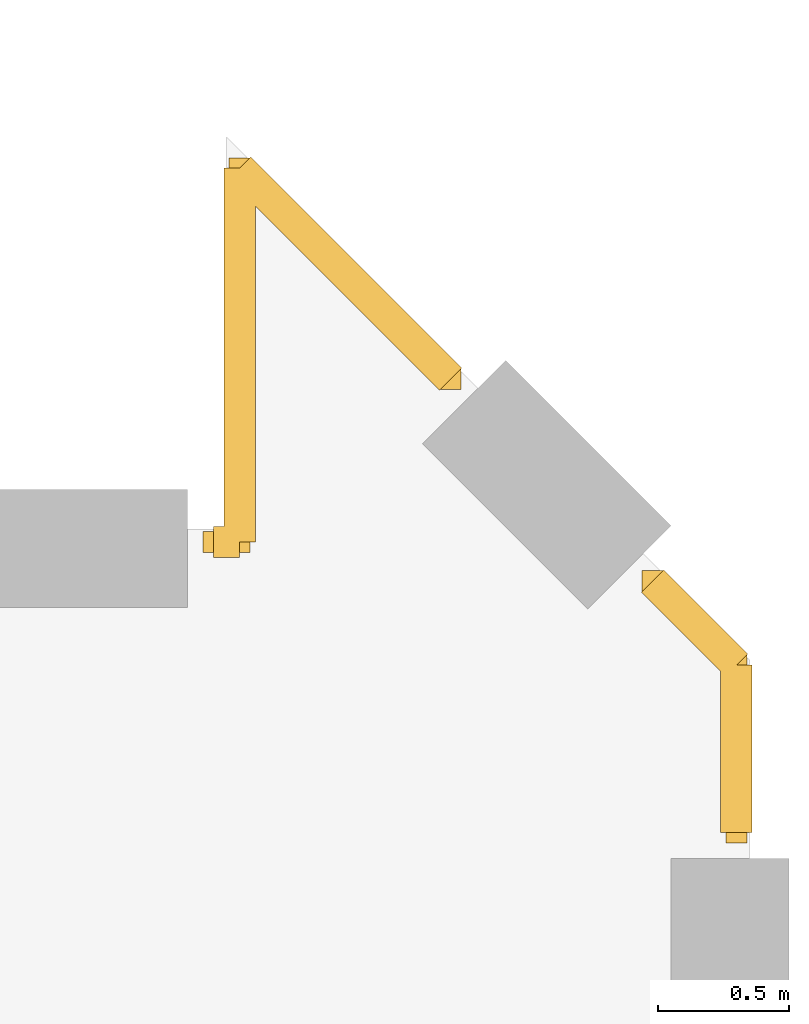
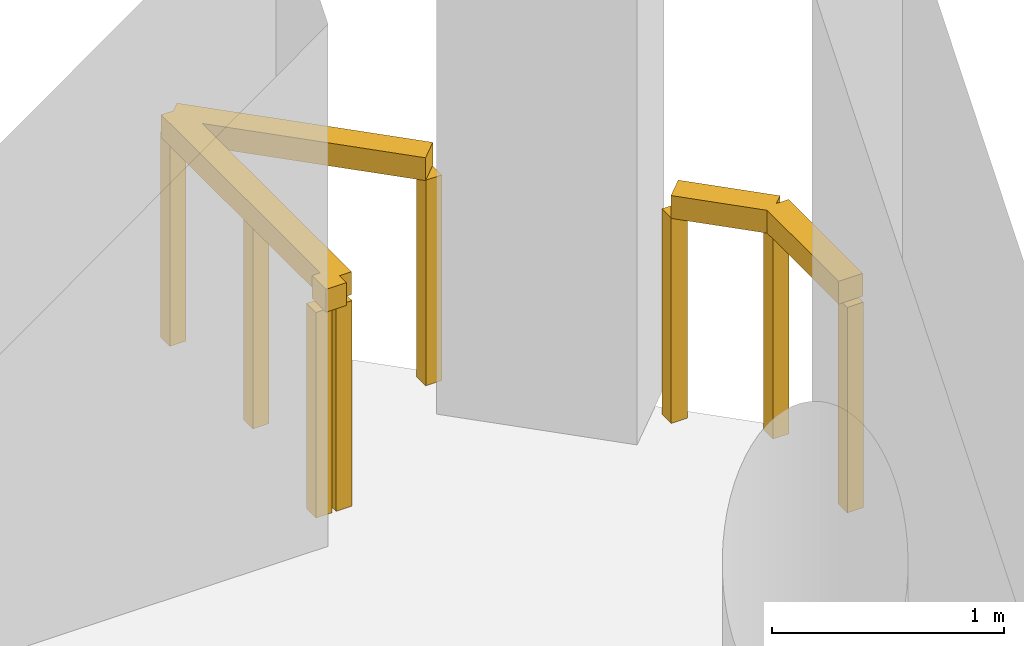
# One storey, part 8 of 8: 2 railings.
"""IFC4 building model written with IfcOpenShell, lengths in metres."""

from ifc_helpers import new_model, si_unit, direction, frame, origin, origin_2d, place, context, subcontext, project, spatial, rectangle, extrude, material, type_object, element, save


model = new_model("IFC4")

# Units and contexts
model_context = context("Model", 3, precision=1e-05, world=origin(), true_north=direction((0.0, 1.0)))
body_context = subcontext(model_context, "Body", "Model", "MODEL_VIEW")
ifc_project = project(units=[si_unit("LENGTHUNIT", "METRE"), si_unit("AREAUNIT", "SQUARE_METRE"), si_unit("VOLUMEUNIT", "CUBIC_METRE"), si_unit("PLANEANGLEUNIT", "RADIAN"), si_unit("MASSUNIT", "GRAM", prefix="KILO")], contexts=[model_context])

# Site, building, storey
site_placement = place(None, origin())
site = spatial("IfcSite", under=ifc_project, at=site_placement, CompositionType="ELEMENT")
building_placement = place(site_placement, origin())
building = spatial("IfcBuilding", under=site, at=building_placement, Name="Cypress Arch Tower", CompositionType="ELEMENT")
storey_placement = place(building_placement, frame((0.0, 0.0, 347.0)))
storey = spatial("IfcBuildingStorey", under=building, at=storey_placement, Name="L79", CompositionType="ELEMENT", Elevation=347.0)

# Railings
ifc_material = material(Name="Stainless steel posts and handrail, laminated glass infill", Category="steel")
railing_type = type_object("IfcRailingType", Name="Deck guard GR1200D", PredefinedType="GUARDRAIL", material=ifc_material)
railing_1_placement = place(storey_placement, frame((7.949951171875, 12.449951171875, 0.0)))
element("IfcRailing", 1, at=railing_1_placement, inside=storey, type_object=railing_type, Name="Crown edge guard L79 15", PredefinedType="GUARDRAIL", context=body_context, shape_type="SweptSolid", body=[
    extrude(rectangle(XDim=0.1201171875, YDim=0.1201171875, at=origin_2d()), frame((0.0, 0.0, 1.139892578125), z_axis=(1.0, 0.0, 0.0), x_axis=(0.0, 1.0, 0.0)), (0.0, 0.0, 1.0), 0.10009765625),
    extrude(rectangle(XDim=0.1201171875, YDim=0.1201171875, at=origin_2d()), frame((0.10009765625, 0.0, 1.139892578125), z_axis=(0.0, 1.0, 0.0), x_axis=(-1.0, 0.0, 0.0)), (0.0, 0.0, 1.0), 1.429443359375),
    extrude(rectangle(XDim=0.1201171875, YDim=0.1201171875, at=origin_2d()), frame((0.10009765625, 1.429443359375, 1.139892578125), z_axis=(0.707106781187, -0.707106781187, 0.0), x_axis=(0.707106781187, 0.707106781187, 0.0)), (0.0, 0.0, 1.0), 1.14013671875),
    extrude(rectangle(XDim=0.080078125, YDim=0.080078125, at=origin_2d()), origin(), (0.0, 0.0, 1.0), 1.079833984375),
    extrude(rectangle(XDim=0.080078125, YDim=0.080078125, at=origin_2d()), frame((0.10009765625, 0.0, 0.0)), (0.0, 0.0, 1.0), 1.079833984375),
    extrude(rectangle(XDim=0.080078125, YDim=0.080078125, at=origin_2d()), frame((0.10009765625, 0.71484375, 0.0)), (0.0, 0.0, 1.0), 1.079833984375),
    extrude(rectangle(XDim=0.080078125, YDim=0.080078125, at=origin_2d()), frame((0.10009765625, 1.429443359375, 0.0)), (0.0, 0.0, 1.0), 1.079833984375),
    extrude(rectangle(XDim=0.080078125, YDim=0.080078125, at=origin_2d()), frame((0.90625, 0.623291015625, 0.0)), (0.0, 0.0, 1.0), 1.079833984375),
])
railing_2_placement = place(storey_placement, frame((9.62939453125, 12.300048828125, 0.0)))
element("IfcRailing", 2, at=railing_2_placement, inside=storey, type_object=railing_type, Name="Crown edge guard L79 17", PredefinedType="GUARDRAIL", context=body_context, shape_type="SweptSolid", body=[
    extrude(rectangle(XDim=0.1201171875, YDim=0.1201171875, at=origin_2d()), frame((0.0, 0.0, 1.139892578125), z_axis=(0.706837561044, -0.707375898867, 0.0), x_axis=(0.707375898867, 0.706837561044, 0.0)), (0.0, 0.0, 1.0), 0.45361328125),
    extrude(rectangle(XDim=0.1201171875, YDim=0.1201171875, at=origin_2d()), frame((0.320556640625, -0.32080078125, 1.139892578125), z_axis=(0.0, -1.0, 0.0), x_axis=(1.0, 0.0, 0.0)), (0.0, 0.0, 1.0), 0.639892578125),
    extrude(rectangle(XDim=0.080078125, YDim=0.080078125, at=origin_2d()), origin(), (0.0, 0.0, 1.0), 1.079833984375),
    extrude(rectangle(XDim=0.080078125, YDim=0.080078125, at=origin_2d()), frame((0.320556640625, -0.32080078125, 0.0)), (0.0, 0.0, 1.0), 1.079833984375),
    extrude(rectangle(XDim=0.080078125, YDim=0.080078125, at=origin_2d()), frame((0.320556640625, -0.960693359375, 0.0)), (0.0, 0.0, 1.0), 1.079833984375),
])

save(model, "model.ifc")
